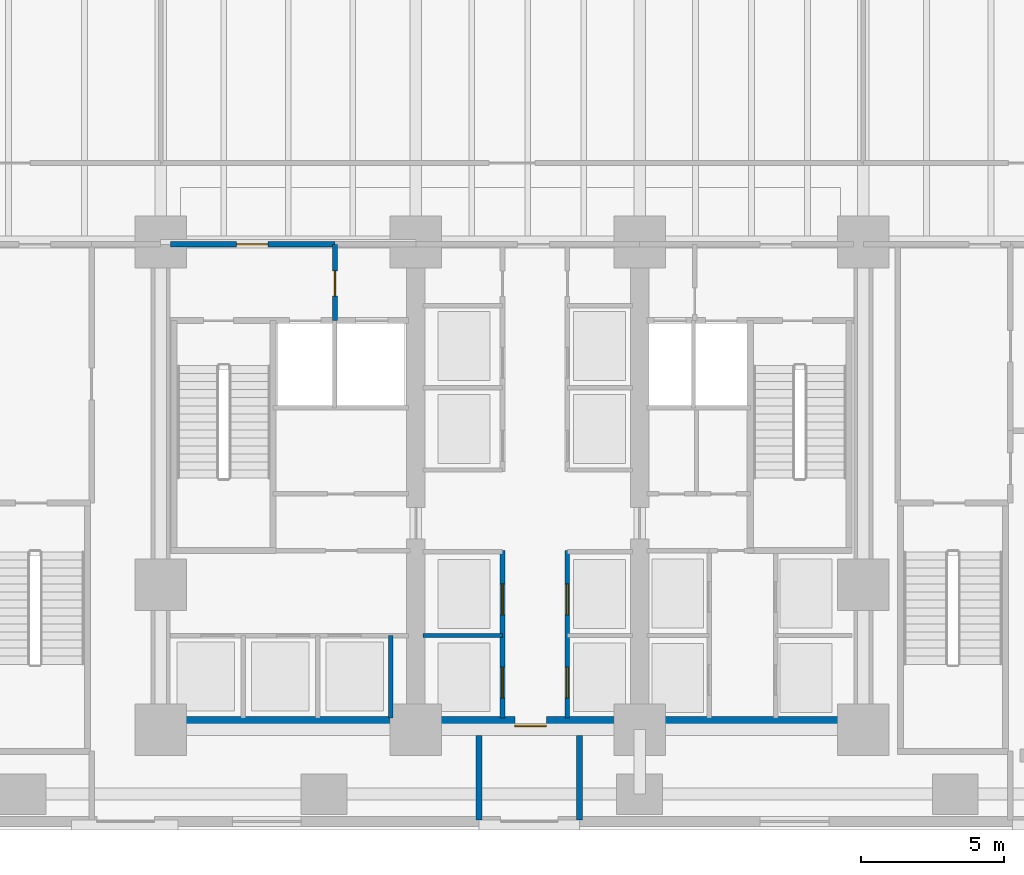
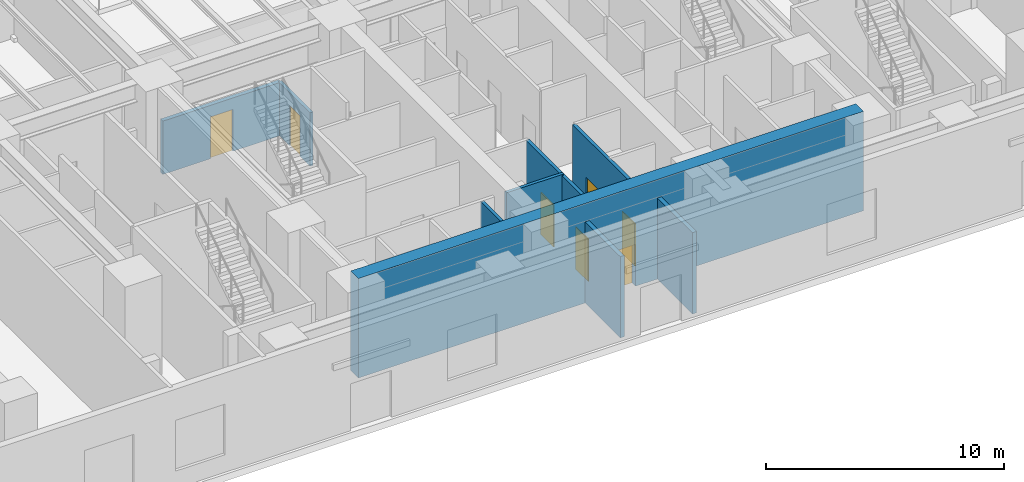
# One storey, part 10 of 19: 9 walls, 7 doors, 7 openings.
"""IFC4 building model written with IfcOpenShell, lengths in metres."""

from ifc_helpers import new_model, si_unit, direction, frame, frame_2d, origin, place, context, subcontext, project, spatial, rectangle, extrude, material, layer, layer_set, type_object, element, fill, save


model = new_model("IFC4")

# Units and contexts
model_context = context("Model", 3, precision=1e-05, world=origin(), true_north=direction((0.0, 1.0)))
body_context = subcontext(model_context, "Body", "Model", "MODEL_VIEW")
ifc_project = project(units=[si_unit("LENGTHUNIT", "METRE"), si_unit("AREAUNIT", "SQUARE_METRE"), si_unit("VOLUMEUNIT", "CUBIC_METRE"), si_unit("PLANEANGLEUNIT", "RADIAN"), si_unit("MASSUNIT", "GRAM", prefix="KILO")], contexts=[model_context])

# Site, building, storey
site_placement = place(None, origin())
site = spatial("IfcSite", under=ifc_project, at=site_placement, CompositionType="ELEMENT")
building_placement = place(site_placement, origin())
building = spatial("IfcBuilding", under=site, at=building_placement, Name="Qalmaran Belvedere Hotel", CompositionType="ELEMENT")
storey_placement = place(building_placement, origin())
storey = spatial("IfcBuildingStorey", under=building, at=storey_placement, Name="L00", CompositionType="ELEMENT", Elevation=0.0)

# Wall, opening, door
ifc_material_1 = material(Name="Concrete C60/75", Category="concrete")
ifc_layer_1 = layer(ifc_material_1, 0.64990234375, Name="Concrete C60/75")
ifc_layer_set_1 = layer_set([ifc_layer_1], Name="Concrete C60/75")
wall_type_1 = type_object("IfcWallType", Name="WL-CORE-650-C60", PredefinedType="SHEAR", material=ifc_layer_set_1)
wall_1_placement = place(storey_placement, frame((20.300048828125, 3.6298828125, 0.0), z_axis=(0.0, 0.0, 1.0), x_axis=(1.0, 0.0, 0.0)))
wall_1 = element("IfcWall", 1, at=wall_1_placement, inside=storey, type_object=wall_type_1, Name="L00 South Core Shear Wall", PredefinedType="SHEAR", context=body_context, shape_type="SweptSolid", body=[
    extrude(rectangle(XDim=24.5, YDim=0.64990234375, at=frame_2d((12.25, 0.0))), origin(), (0.0, 0.0, 1.0), 5.10009765625),
])
opening_1_placement = place(wall_1_placement, frame((13.4501953125, 0.0, 0.0), z_axis=(0.0, 0.0, 1.0), x_axis=(-1.0, 0.0, 0.0)))
opening_1 = element("IfcOpeningElement", 2, at=opening_1_placement, cuts=wall_1, Name="Opening FD90", PredefinedType="OPENING", context=body_context, shape_type="SweptSolid", body=[
    extrude(rectangle(XDim=1.10009765625, YDim=2.14990234375, at=frame_2d((0.550048828125, 1.074951171875))), frame((0.0, 0.3349609375, 0.0), z_axis=(0.0, -1.0, 0.0), x_axis=(1.0, 0.0, 0.0)), (0.0, 0.0, 1.0), 0.669921875),
])
ifc_material_2 = material(Name="Steel S355JR", Category="steel")
door_type_1 = type_object("IfcDoorType", Name="DR-FD90-1100X2150", OperationType="NOTDEFINED", PredefinedType="DOOR", material=ifc_material_2)
door_1_placement = place(opening_1_placement, origin())
door_1 = element("IfcDoor", 3, at=door_1_placement, inside=storey, type_object=door_type_1, Name="L00 Core South Exit Discharge Door", OperationType="SINGLE_SWING_RIGHT", OverallHeight=2.14990234375, OverallWidth=1.10009765625, PredefinedType="DOOR", context=body_context, shape_type="SweptSolid", body=[
    extrude(rectangle(XDim=1.10009765625, YDim=2.14990234375, at=frame_2d((0.550048828125, 1.074951171875))), frame((0.0, 0.02490234375, 0.0), z_axis=(0.0, -1.0, 0.0), x_axis=(1.0, 0.0, 0.0)), (0.0, 0.0, 1.0), 0.050048828125),
])
fill(opening_1, door_1)

# Walls
ifc_material_3 = material(Name="Gypsum Stud Partition")
ifc_layer_2 = layer(ifc_material_3, 0.14990234375, Name="Gypsum Stud Partition")
ifc_layer_set_2 = layer_set([ifc_layer_2], Name="Gypsum Stud Partition")
wall_type_2 = type_object("IfcWallType", Name="WL-INT-150-EI120", PredefinedType="PARTITIONING", material=ifc_layer_set_2)
wall_2_placement = place(storey_placement, frame((28.320068359375, 3.89990234375, 0.0), z_axis=(0.0, 0.0, 1.0), x_axis=(0.0, 1.0, 0.0)))
element("IfcWall", 4, at=wall_2_placement, inside=storey, type_object=wall_type_2, Name="L00 Partition WL-POM3-L00", PredefinedType="PARTITIONING", context=body_context, shape_type="SweptSolid", body=[
    extrude(rectangle(XDim=2.880126953125, YDim=0.14990234375, at=frame_2d((1.43994140625, 0.0))), origin(), (0.0, 0.0, 1.0), 4.1640625),
])
wall_3_placement = place(storey_placement, frame((29.449951171875, 6.780029296875, 0.0), z_axis=(0.0, 0.0, 1.0), x_axis=(1.0, 0.0, 0.0)))
element("IfcWall", 5, at=wall_3_placement, inside=storey, type_object=wall_type_2, Name="L00 Partition WL-PLW-L00-67", PredefinedType="PARTITIONING", context=body_context, shape_type="SweptSolid", body=[
    extrude(rectangle(XDim=2.77001953125, YDim=0.14990234375, at=frame_2d((1.385009765625, 0.0))), origin(), (0.0, 0.0, 1.0), 4.22998046875),
])

# Wall, opening, door
ifc_layer_3 = layer(ifc_material_3, 0.159912109375, Name="Gypsum Stud Partition")
ifc_layer_set_3 = layer_set([ifc_layer_3], Name="Gypsum Stud Partition")
wall_type_3 = type_object("IfcWallType", Name="WL-INT-160-EI120", PredefinedType="PARTITIONING", material=ifc_layer_set_3)
wall_4_placement = place(storey_placement, frame((26.3798828125, 17.760009765625, 0.0), z_axis=(0.0, 0.0, 1.0), x_axis=(0.0, 1.0, 0.0)))
wall_4 = element("IfcWall", 6, at=wall_4_placement, inside=storey, type_object=wall_type_3, Name="L00 Partition WL-FFSV1-L00", PredefinedType="PARTITIONING", context=body_context, shape_type="SweptSolid", body=[
    extrude(rectangle(XDim=2.659912109375, YDim=0.159912109375, at=frame_2d((1.330078125, 0.0))), origin(), (0.0, 0.0, 1.0), 2.734619140625),
])
opening_2_placement = place(wall_4_placement, frame((0.85009765625, 0.0, 0.0)))
opening_2 = element("IfcOpeningElement", 7, at=opening_2_placement, cuts=wall_4, Name="Opening FD60B", PredefinedType="OPENING", context=body_context, shape_type="SweptSolid", body=[
    extrude(rectangle(XDim=0.8798828125, YDim=2.080078125, at=frame_2d((0.43994140625, 1.0400390625))), frame((0.0, 0.08984375, 0.0), z_axis=(0.0, -1.0, 0.0), x_axis=(1.0, 0.0, 0.0)), (0.0, 0.0, 1.0), 0.179931640625),
])
door_type_2 = type_object("IfcDoorType", Name="DR-FD60B-880X2080", OperationType="NOTDEFINED", PredefinedType="DOOR", material=ifc_material_2)
door_2_placement = place(opening_2_placement, origin())
door_2 = element("IfcDoor", 8, at=door_2_placement, inside=storey, type_object=door_type_2, Name="L00 Service Lobby West Door", OperationType="SINGLE_SWING_LEFT", OverallHeight=2.080078125, OverallWidth=0.8798828125, PredefinedType="DOOR", context=body_context, shape_type="SweptSolid", body=[
    extrude(rectangle(XDim=0.8798828125, YDim=2.080078125, at=frame_2d((0.43994140625, 1.0400390625))), frame((0.0, 0.02490234375, 0.0), z_axis=(0.0, -1.0, 0.0), x_axis=(1.0, 0.0, 0.0)), (0.0, 0.0, 1.0), 0.050048828125),
])
fill(opening_2, door_2)

# Wall, openings, doors
wall_5_placement = place(storey_placement, frame((32.219970703125, 3.89990234375, 0.0), z_axis=(0.0, 0.0, 1.0), x_axis=(0.0, 1.0, 0.0)))
wall_5 = element("IfcWall", 9, at=wall_5_placement, inside=storey, type_object=wall_type_3, Name="L00 Partition WL-CLBWS-L00", PredefinedType="PARTITIONING", context=body_context, shape_type="SweptSolid", body=[
    extrude(rectangle(XDim=5.840087890625, YDim=0.159912109375, at=frame_2d((2.919921875, 0.0))), origin(), (0.0, 0.0, 1.0), 4.1640625),
])
opening_3_placement = place(wall_5_placement, frame((1.780029296875, 0.0, 0.0), z_axis=(0.0, 0.0, 1.0), x_axis=(-1.0, 0.0, 0.0)))
opening_3 = element("IfcOpeningElement", 10, at=opening_3_placement, cuts=wall_5, Name="Opening LD-P1", PredefinedType="OPENING", context=body_context, shape_type="SweptSolid", body=[
    extrude(rectangle(XDim=1.080078125, YDim=2.159912109375, at=frame_2d((0.5400390625, 1.080078125))), frame((0.0, 0.08984375, 0.0), z_axis=(0.0, -1.0, 0.0), x_axis=(1.0, 0.0, 0.0)), (0.0, 0.0, 1.0), 0.179931640625),
])
opening_4_placement = place(wall_5_placement, frame((4.68017578125, 0.0, 0.0), z_axis=(0.0, 0.0, 1.0), x_axis=(-1.0, 0.0, 0.0)))
opening_4 = element("IfcOpeningElement", 11, at=opening_4_placement, cuts=wall_5, Name="Opening LD-P1", PredefinedType="OPENING", context=body_context, shape_type="SweptSolid", body=[
    extrude(rectangle(XDim=1.080078125, YDim=2.159912109375, at=frame_2d((0.5400390625, 1.080078125))), frame((0.0, 0.08984375, 0.0), z_axis=(0.0, -1.0, 0.0), x_axis=(1.0, 0.0, 0.0)), (0.0, 0.0, 1.0), 0.179931640625),
])
ifc_material_4 = material(Name="Stainless Steel 1.4401", Category="steel")
door_type_3 = type_object("IfcDoorType", Name="DR-LIFT-P1-1080X2160", OperationType="DOUBLE_DOOR_SLIDING", PredefinedType="DOOR", material=ifc_material_4)
door_3_placement = place(opening_3_placement, origin())
door_3 = element("IfcDoor", 12, at=door_3_placement, inside=storey, type_object=door_type_3, Name="L00 PL1 Lift Landing Door", OperationType="DOUBLE_DOOR_SLIDING", OverallHeight=2.159912109375, OverallWidth=1.080078125, PredefinedType="DOOR", context=body_context, shape_type="SweptSolid", body=[
    extrude(rectangle(XDim=1.080078125, YDim=2.159912109375, at=frame_2d((0.5400390625, 1.080078125))), frame((0.0, 0.02490234375, 0.0), z_axis=(0.0, -1.0, 0.0), x_axis=(1.0, 0.0, 0.0)), (0.0, 0.0, 1.0), 0.050048828125),
])
fill(opening_3, door_3)
door_4_placement = place(opening_4_placement, origin())
door_4 = element("IfcDoor", 13, at=door_4_placement, inside=storey, type_object=door_type_3, Name="L00 PL2 Lift Landing Door", OperationType="DOUBLE_DOOR_SLIDING", OverallHeight=2.159912109375, OverallWidth=1.080078125, PredefinedType="DOOR", context=body_context, shape_type="SweptSolid", body=[
    extrude(rectangle(XDim=1.080078125, YDim=2.159912109375, at=frame_2d((0.5400390625, 1.080078125))), frame((0.0, 0.02490234375, 0.0), z_axis=(0.0, -1.0, 0.0), x_axis=(1.0, 0.0, 0.0)), (0.0, 0.0, 1.0), 0.050048828125),
])
fill(opening_4, door_4)

wall_6_placement = place(storey_placement, frame((34.47998046875, 3.89990234375, 0.0), z_axis=(0.0, 0.0, 1.0), x_axis=(0.0, 1.0, 0.0)))
wall_6 = element("IfcWall", 14, at=wall_6_placement, inside=storey, type_object=wall_type_3, Name="L00 Partition WL-CLBES-L00", PredefinedType="PARTITIONING", context=body_context, shape_type="SweptSolid", body=[
    extrude(rectangle(XDim=5.840087890625, YDim=0.159912109375, at=frame_2d((2.919921875, 0.0))), origin(), (0.0, 0.0, 1.0), 4.1640625),
])
opening_5_placement = place(wall_6_placement, frame((0.699951171875, 0.0, 0.0)))
opening_5 = element("IfcOpeningElement", 15, at=opening_5_placement, cuts=wall_6, Name="Opening LD-P1", PredefinedType="OPENING", context=body_context, shape_type="SweptSolid", body=[
    extrude(rectangle(XDim=1.080078125, YDim=2.159912109375, at=frame_2d((0.5400390625, 1.080078125))), frame((0.0, 0.08984375, 0.0), z_axis=(0.0, -1.0, 0.0), x_axis=(1.0, 0.0, 0.0)), (0.0, 0.0, 1.0), 0.179931640625),
])
opening_6_placement = place(wall_6_placement, frame((3.60009765625, 0.0, 0.0)))
opening_6 = element("IfcOpeningElement", 16, at=opening_6_placement, cuts=wall_6, Name="Opening LD-P1", PredefinedType="OPENING", context=body_context, shape_type="SweptSolid", body=[
    extrude(rectangle(XDim=1.080078125, YDim=2.159912109375, at=frame_2d((0.5400390625, 1.080078125))), frame((0.0, 0.08984375, 0.0), z_axis=(0.0, -1.0, 0.0), x_axis=(1.0, 0.0, 0.0)), (0.0, 0.0, 1.0), 0.179931640625),
])
door_5_placement = place(opening_5_placement, origin())
door_5 = element("IfcDoor", 17, at=door_5_placement, inside=storey, type_object=door_type_3, Name="L00 PL3 Lift Landing Door", OperationType="DOUBLE_DOOR_SLIDING", OverallHeight=2.159912109375, OverallWidth=1.080078125, PredefinedType="DOOR", context=body_context, shape_type="SweptSolid", body=[
    extrude(rectangle(XDim=1.080078125, YDim=2.159912109375, at=frame_2d((0.5400390625, 1.080078125))), frame((0.0, 0.02490234375, 0.0), z_axis=(0.0, -1.0, 0.0), x_axis=(1.0, 0.0, 0.0)), (0.0, 0.0, 1.0), 0.050048828125),
])
fill(opening_5, door_5)
door_6_placement = place(opening_6_placement, origin())
door_6 = element("IfcDoor", 18, at=door_6_placement, inside=storey, type_object=door_type_3, Name="L00 PL4 Lift Landing Door", OperationType="DOUBLE_DOOR_SLIDING", OverallHeight=2.159912109375, OverallWidth=1.080078125, PredefinedType="DOOR", context=body_context, shape_type="SweptSolid", body=[
    extrude(rectangle(XDim=1.080078125, YDim=2.159912109375, at=frame_2d((0.5400390625, 1.080078125))), frame((0.0, 0.02490234375, 0.0), z_axis=(0.0, -1.0, 0.0), x_axis=(1.0, 0.0, 0.0)), (0.0, 0.0, 1.0), 0.050048828125),
])
fill(opening_6, door_6)

# Wall, opening, door
ifc_material_5 = material(Name="Concrete C30/37 Blockwork", Category="masonry")
ifc_layer_4 = layer(ifc_material_5, 0.199951171875, Name="Concrete C30/37 Blockwork")
ifc_layer_set_4 = layer_set([ifc_layer_4], Name="Concrete C30/37 Blockwork")
wall_type_4 = type_object("IfcWallType", Name="WL-INT-200-EI120", PredefinedType="PARTITIONING", material=ifc_layer_set_4)
wall_7_placement = place(storey_placement, frame((20.64990234375, 20.419921875, 0.0), z_axis=(0.0, 0.0, 1.0), x_axis=(1.0, 0.0, 0.0)))
wall_7 = element("IfcWall", 19, at=wall_7_placement, inside=storey, type_object=wall_type_4, Name="L00 Partition WL-CN1A-L00", PredefinedType="PARTITIONING", context=body_context, shape_type="SweptSolid", body=[
    extrude(rectangle(XDim=5.72998046875, YDim=0.199951171875, at=frame_2d((2.864990234375, 0.0))), origin(), (0.0, 0.0, 1.0), 2.734619140625),
])
opening_7_placement = place(wall_7_placement, frame((2.300048828125, 0.0, 0.0)))
opening_7 = element("IfcOpeningElement", 20, at=opening_7_placement, cuts=wall_7, Name="Opening FD90", PredefinedType="OPENING", context=body_context, shape_type="SweptSolid", body=[
    extrude(rectangle(XDim=1.10009765625, YDim=2.14990234375, at=frame_2d((0.550048828125, 1.074951171875))), frame((0.0, 0.10986328125, 0.0), z_axis=(0.0, -1.0, 0.0), x_axis=(1.0, 0.0, 0.0)), (0.0, 0.0, 1.0), 0.219970703125),
])
door_7_placement = place(opening_7_placement, origin())
door_7 = element("IfcDoor", 21, at=door_7_placement, inside=storey, type_object=door_type_1, Name="L00 FF1 Lobby Corridor Door", OperationType="SINGLE_SWING_LEFT", OverallHeight=2.14990234375, OverallWidth=1.10009765625, PredefinedType="DOOR", context=body_context, shape_type="SweptSolid", body=[
    extrude(rectangle(XDim=1.10009765625, YDim=2.14990234375, at=frame_2d((0.550048828125, 1.074951171875))), frame((0.0, 0.02490234375, 0.0), z_axis=(0.0, -1.0, 0.0), x_axis=(1.0, 0.0, 0.0)), (0.0, 0.0, 1.0), 0.050048828125),
])
fill(opening_7, door_7)

# Walls
for number, where, z_axis, x_axis, name in (
    (22, (31.39990234375, 0.35009765625, 0.0), (0.0, 0.0, 1.0), (0.0, 1.0, 0.0), "L00 Partition WL-L00-CSVW"),
    (23, (34.89990234375, 0.35009765625, 0.0), (0.0, 0.0, 1.0), (0.0, 1.0, 0.0), "L00 Partition WL-L00-CSVE"),
):
    element("IfcWall", number, at=place(storey_placement, frame(where, z_axis=z_axis, x_axis=x_axis)), inside=storey, type_object=wall_type_4, Name=name, PredefinedType="PARTITIONING", context=body_context, shape_type="SweptSolid", body=[
        extrude(rectangle(XDim=2.949951171875, YDim=0.199951171875, at=frame_2d((1.47509765625, 0.0))), origin(), (0.0, 0.0, 1.0), 4.1640625),
    ])

save(model, "model.ifc")
